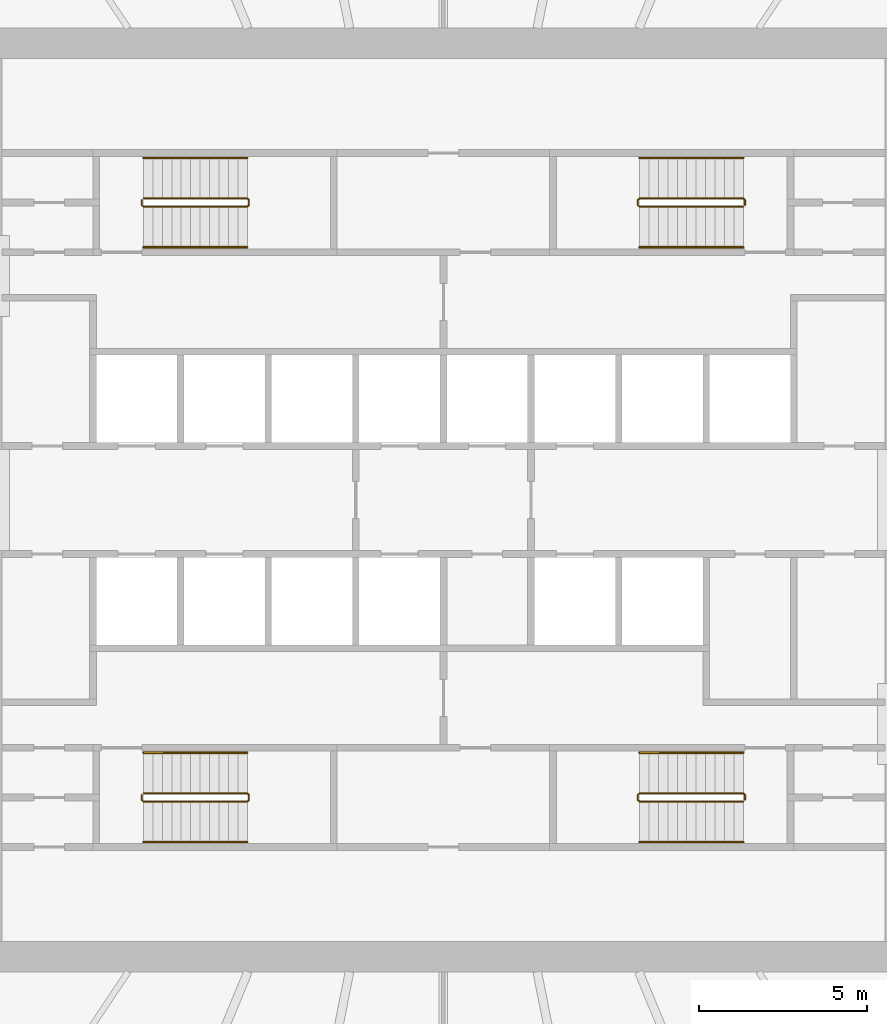
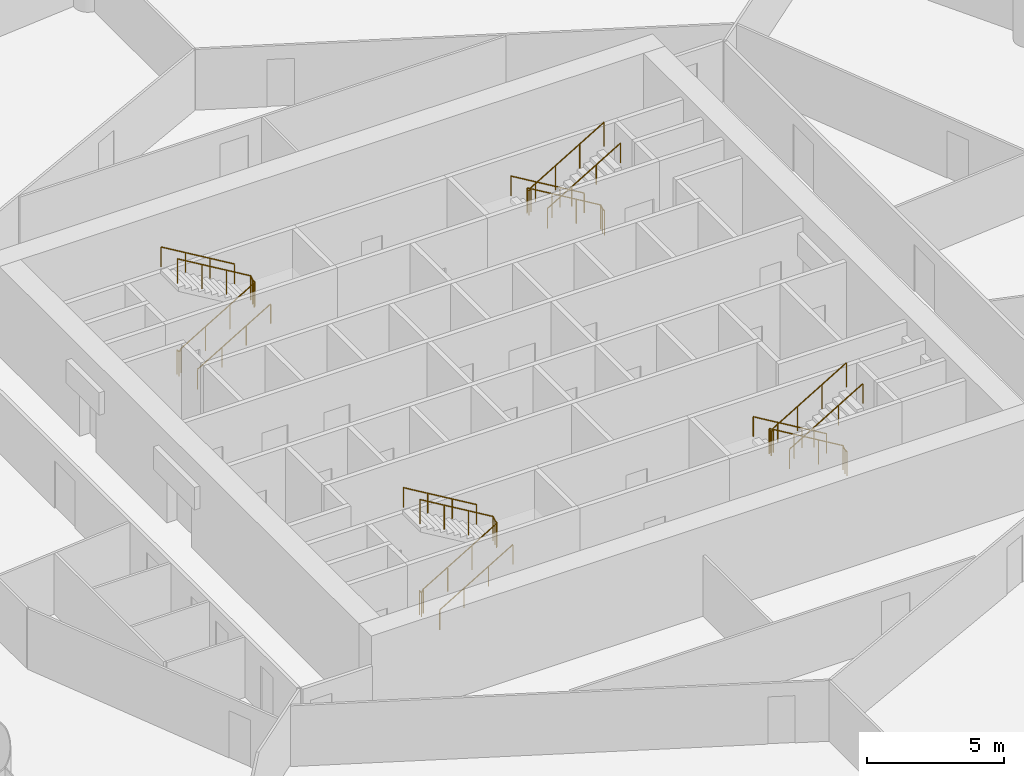
# One storey, part 9 of 9: 12 railings.
"""IFC4 building model written with IfcOpenShell, lengths in metres."""

from ifc_helpers import new_model, si_unit, direction, frame, origin, origin_2d, place, context, subcontext, project, spatial, circle, extrude, material, type_object, element, save


model = new_model("IFC4")

# Units and contexts
model_context = context("Model", 3, precision=1e-05, world=origin(), true_north=direction((0.0, 1.0)))
body_context = subcontext(model_context, "Body", "Model", "MODEL_VIEW")
ifc_project = project(units=[si_unit("LENGTHUNIT", "METRE"), si_unit("AREAUNIT", "SQUARE_METRE"), si_unit("VOLUMEUNIT", "CUBIC_METRE"), si_unit("PLANEANGLEUNIT", "RADIAN"), si_unit("MASSUNIT", "GRAM", prefix="KILO")], contexts=[model_context])

# Site, building, storey
site_placement = place(None, origin())
site = spatial("IfcSite", under=ifc_project, at=site_placement, CompositionType="ELEMENT")
building_placement = place(site_placement, origin())
building = spatial("IfcBuilding", under=site, at=building_placement, Name="Corvane Civic Tower", CompositionType="ELEMENT")
storey_placement = place(building_placement, frame((0.0, 0.0, 172.0)))
storey = spatial("IfcBuildingStorey", under=building, at=storey_placement, Name="L40", CompositionType="ELEMENT", Elevation=172.0)

# Railings
ifc_material_1 = material(Name="Steel ASTM A572 Gr 50", Category="steel")
railing_type_1 = type_object("IfcRailingType", Name="ST-GUARD-1100", PredefinedType="GUARDRAIL", material=ifc_material_1)
railing_1_placement = place(storey_placement, frame((8.949951171875, 8.75, 0.0)))
element("IfcRailing", 1, at=railing_1_placement, inside=storey, type_object=railing_type_1, Name="L40 ST1 stair guard 1", PredefinedType="GUARDRAIL", context=body_context, shape_type="SweptSolid", body=[
    extrude(circle(Radius=0.02392578125, at=origin_2d()), frame((0.0, 0.0, 1.076171875), z_axis=(0.0, 1.0, 0.0), x_axis=(-1.0, 0.0, 0.0)), (0.0, 0.0, 1.0), 0.14990234375),
    extrude(circle(Radius=0.02392578125, at=origin_2d()), frame((0.0, 0.14990234375, 1.076171875), z_axis=(-0.27628659633, 0.27628659633, 0.920506074601), x_axis=(-0.707106781187, -0.707106781187, 0.0)), (0.0, 0.0, 1.0), 0.18115234375),
    extrude(circle(Radius=0.02392578125, at=origin_2d()), frame((-0.050048828125, 0.199951171875, 1.24267578125), z_axis=(-0.859290745958, 0.0, 0.51148745235), x_axis=(0.0, -1.0, 0.0)), (0.0, 0.0, 1.0), 3.584228515625),
    extrude(circle(Radius=0.02392578125, at=origin_2d()), frame((-3.1298828125, 0.199951171875, 3.076171875), z_axis=(-0.707106781187, -0.707106781187, 0.0), x_axis=(0.707106781187, -0.707106781187, 0.0)), (0.0, 0.0, 1.0), 0.07080078125),
    extrude(circle(Radius=0.02392578125, at=origin_2d()), frame((-3.179931640625, 0.14990234375, 3.076171875), z_axis=(0.0, -1.0, 0.0), x_axis=(1.0, 0.0, 0.0)), (0.0, 0.0, 1.0), 0.14990234375),
    extrude(circle(Radius=0.02392578125, at=origin_2d()), frame((-3.179931640625, 0.0, 3.076171875), z_axis=(0.27628659633, -0.27628659633, 0.920506074601), x_axis=(0.707106781187, 0.707106781187, 0.0)), (0.0, 0.0, 1.0), 0.18115234375),
    extrude(circle(Radius=0.02392578125, at=origin_2d()), frame((-3.1298828125, -0.050048828125, 3.24267578125), z_axis=(0.859290745958, 0.0, 0.51148745235), x_axis=(0.0, 1.0, 0.0)), (0.0, 0.0, 1.0), 3.584228515625),
    extrude(circle(Radius=0.02099609375, at=origin_2d()), origin(), (0.0, 0.0, 1.0), 1.052001953125),
    extrude(circle(Radius=0.02099609375, at=origin_2d()), frame((0.0, 0.14990234375, 0.0)), (0.0, 0.0, 1.0), 1.052001953125),
    extrude(circle(Radius=0.02099609375, at=origin_2d()), frame((-0.050048828125, 0.199951171875, 0.166748046875)), (0.0, 0.0, 1.0), 1.052001953125),
    extrude(circle(Radius=0.02099609375, at=origin_2d()), frame((-1.07666015625, 0.199951171875, 0.77783203125)), (0.0, 0.0, 1.0), 1.052001953125),
    extrude(circle(Radius=0.02099609375, at=origin_2d()), frame((-2.103271484375, 0.199951171875, 1.388916015625)), (0.0, 0.0, 1.0), 1.052001953125),
    extrude(circle(Radius=0.02099609375, at=origin_2d()), frame((-3.1298828125, 0.199951171875, 2.0)), (0.0, 0.0, 1.0), 1.052001953125),
    extrude(circle(Radius=0.02099609375, at=origin_2d()), frame((-3.179931640625, 0.14990234375, 2.0)), (0.0, 0.0, 1.0), 1.052001953125),
    extrude(circle(Radius=0.02099609375, at=origin_2d()), frame((-3.179931640625, 0.0, 2.0)), (0.0, 0.0, 1.0), 1.052001953125),
    extrude(circle(Radius=0.02099609375, at=origin_2d()), frame((-3.1298828125, -0.050048828125, 2.166748046875)), (0.0, 0.0, 1.0), 1.052001953125),
    extrude(circle(Radius=0.02099609375, at=origin_2d()), frame((-2.103271484375, -0.050048828125, 2.77783203125)), (0.0, 0.0, 1.0), 1.052001953125),
    extrude(circle(Radius=0.02099609375, at=origin_2d()), frame((-1.07666015625, -0.050048828125, 3.388916015625)), (0.0, 0.0, 1.0), 1.052001953125),
    extrude(circle(Radius=0.02099609375, at=origin_2d()), frame((-0.050048828125, -0.050048828125, 4.0)), (0.0, 0.0, 1.0), 1.052001953125),
])
railing_2_placement = place(storey_placement, frame((8.949951171875, -8.89990234375, 0.0)))
element("IfcRailing", 2, at=railing_2_placement, inside=storey, type_object=railing_type_1, Name="L40 ST2 stair guard 1", PredefinedType="GUARDRAIL", context=body_context, shape_type="SweptSolid", body=[
    extrude(circle(Radius=0.02392578125, at=origin_2d()), frame((0.0, 0.0, 1.076171875), z_axis=(0.0, 1.0, 0.0), x_axis=(-1.0, 0.0, 0.0)), (0.0, 0.0, 1.0), 0.14990234375),
    extrude(circle(Radius=0.02392578125, at=origin_2d()), frame((0.0, 0.14990234375, 1.076171875), z_axis=(-0.27628659633, 0.27628659633, 0.920506074601), x_axis=(-0.707106781187, -0.707106781187, 0.0)), (0.0, 0.0, 1.0), 0.18115234375),
    extrude(circle(Radius=0.02392578125, at=origin_2d()), frame((-0.050048828125, 0.199951171875, 1.24267578125), z_axis=(-0.859290745958, 0.0, 0.51148745235), x_axis=(0.0, -1.0, 0.0)), (0.0, 0.0, 1.0), 3.584228515625),
    extrude(circle(Radius=0.02392578125, at=origin_2d()), frame((-3.1298828125, 0.199951171875, 3.076171875), z_axis=(-0.707106781187, -0.707106781187, 0.0), x_axis=(0.707106781187, -0.707106781187, 0.0)), (0.0, 0.0, 1.0), 0.07080078125),
    extrude(circle(Radius=0.02392578125, at=origin_2d()), frame((-3.179931640625, 0.14990234375, 3.076171875), z_axis=(0.0, -1.0, 0.0), x_axis=(1.0, 0.0, 0.0)), (0.0, 0.0, 1.0), 0.14990234375),
    extrude(circle(Radius=0.02392578125, at=origin_2d()), frame((-3.179931640625, 0.0, 3.076171875), z_axis=(0.27628659633, -0.27628659633, 0.920506074601), x_axis=(0.707106781187, 0.707106781187, 0.0)), (0.0, 0.0, 1.0), 0.18115234375),
    extrude(circle(Radius=0.02392578125, at=origin_2d()), frame((-3.1298828125, -0.050048828125, 3.24267578125), z_axis=(0.859290745958, 0.0, 0.51148745235), x_axis=(0.0, 1.0, 0.0)), (0.0, 0.0, 1.0), 3.584228515625),
    extrude(circle(Radius=0.02099609375, at=origin_2d()), origin(), (0.0, 0.0, 1.0), 1.052001953125),
    extrude(circle(Radius=0.02099609375, at=origin_2d()), frame((0.0, 0.14990234375, 0.0)), (0.0, 0.0, 1.0), 1.052001953125),
    extrude(circle(Radius=0.02099609375, at=origin_2d()), frame((-0.050048828125, 0.199951171875, 0.166748046875)), (0.0, 0.0, 1.0), 1.052001953125),
    extrude(circle(Radius=0.02099609375, at=origin_2d()), frame((-1.07666015625, 0.199951171875, 0.77783203125)), (0.0, 0.0, 1.0), 1.052001953125),
    extrude(circle(Radius=0.02099609375, at=origin_2d()), frame((-2.103271484375, 0.199951171875, 1.388916015625)), (0.0, 0.0, 1.0), 1.052001953125),
    extrude(circle(Radius=0.02099609375, at=origin_2d()), frame((-3.1298828125, 0.199951171875, 2.0)), (0.0, 0.0, 1.0), 1.052001953125),
    extrude(circle(Radius=0.02099609375, at=origin_2d()), frame((-3.179931640625, 0.14990234375, 2.0)), (0.0, 0.0, 1.0), 1.052001953125),
    extrude(circle(Radius=0.02099609375, at=origin_2d()), frame((-3.179931640625, 0.0, 2.0)), (0.0, 0.0, 1.0), 1.052001953125),
    extrude(circle(Radius=0.02099609375, at=origin_2d()), frame((-3.1298828125, -0.050048828125, 2.166748046875)), (0.0, 0.0, 1.0), 1.052001953125),
    extrude(circle(Radius=0.02099609375, at=origin_2d()), frame((-2.103271484375, -0.050048828125, 2.77783203125)), (0.0, 0.0, 1.0), 1.052001953125),
    extrude(circle(Radius=0.02099609375, at=origin_2d()), frame((-1.07666015625, -0.050048828125, 3.388916015625)), (0.0, 0.0, 1.0), 1.052001953125),
    extrude(circle(Radius=0.02099609375, at=origin_2d()), frame((-0.050048828125, -0.050048828125, 4.0)), (0.0, 0.0, 1.0), 1.052001953125),
])
railing_3_placement = place(storey_placement, frame((-8.949951171875, -8.75, 0.0)))
element("IfcRailing", 3, at=railing_3_placement, inside=storey, type_object=railing_type_1, Name="L40 ST3 stair guard 1", PredefinedType="GUARDRAIL", context=body_context, shape_type="SweptSolid", body=[
    extrude(circle(Radius=0.02392578125, at=origin_2d()), frame((0.0, 0.0, 1.076171875), z_axis=(0.0, -1.0, 0.0), x_axis=(1.0, 0.0, 0.0)), (0.0, 0.0, 1.0), 0.14990234375),
    extrude(circle(Radius=0.02392578125, at=origin_2d()), frame((0.0, -0.14990234375, 1.076171875), z_axis=(0.27628659633, -0.27628659633, 0.920506074601), x_axis=(0.707106781187, 0.707106781187, 0.0)), (0.0, 0.0, 1.0), 0.18115234375),
    extrude(circle(Radius=0.02392578125, at=origin_2d()), frame((0.050048828125, -0.199951171875, 1.24267578125), z_axis=(0.859290745958, 0.0, 0.51148745235), x_axis=(0.0, 1.0, 0.0)), (0.0, 0.0, 1.0), 3.584228515625),
    extrude(circle(Radius=0.02392578125, at=origin_2d()), frame((3.1298828125, -0.199951171875, 3.076171875), z_axis=(0.707106781187, 0.707106781187, 0.0), x_axis=(-0.707106781187, 0.707106781187, 0.0)), (0.0, 0.0, 1.0), 0.07080078125),
    extrude(circle(Radius=0.02392578125, at=origin_2d()), frame((3.179931640625, -0.14990234375, 3.076171875), z_axis=(0.0, 1.0, 0.0), x_axis=(-1.0, 0.0, 0.0)), (0.0, 0.0, 1.0), 0.14990234375),
    extrude(circle(Radius=0.02392578125, at=origin_2d()), frame((3.179931640625, 0.0, 3.076171875), z_axis=(-0.27628659633, 0.27628659633, 0.920506074601), x_axis=(-0.707106781187, -0.707106781187, 0.0)), (0.0, 0.0, 1.0), 0.18115234375),
    extrude(circle(Radius=0.02392578125, at=origin_2d()), frame((3.1298828125, 0.050048828125, 3.24267578125), z_axis=(-0.859290745958, 0.0, 0.51148745235), x_axis=(0.0, -1.0, 0.0)), (0.0, 0.0, 1.0), 3.584228515625),
    extrude(circle(Radius=0.02099609375, at=origin_2d()), origin(), (0.0, 0.0, 1.0), 1.052001953125),
    extrude(circle(Radius=0.02099609375, at=origin_2d()), frame((0.0, -0.14990234375, 0.0)), (0.0, 0.0, 1.0), 1.052001953125),
    extrude(circle(Radius=0.02099609375, at=origin_2d()), frame((0.050048828125, -0.199951171875, 0.166748046875)), (0.0, 0.0, 1.0), 1.052001953125),
    extrude(circle(Radius=0.02099609375, at=origin_2d()), frame((1.07666015625, -0.199951171875, 0.77783203125)), (0.0, 0.0, 1.0), 1.052001953125),
    extrude(circle(Radius=0.02099609375, at=origin_2d()), frame((2.103271484375, -0.199951171875, 1.388916015625)), (0.0, 0.0, 1.0), 1.052001953125),
    extrude(circle(Radius=0.02099609375, at=origin_2d()), frame((3.1298828125, -0.199951171875, 2.0)), (0.0, 0.0, 1.0), 1.052001953125),
    extrude(circle(Radius=0.02099609375, at=origin_2d()), frame((3.179931640625, -0.14990234375, 2.0)), (0.0, 0.0, 1.0), 1.052001953125),
    extrude(circle(Radius=0.02099609375, at=origin_2d()), frame((3.179931640625, 0.0, 2.0)), (0.0, 0.0, 1.0), 1.052001953125),
    extrude(circle(Radius=0.02099609375, at=origin_2d()), frame((3.1298828125, 0.050048828125, 2.166748046875)), (0.0, 0.0, 1.0), 1.052001953125),
    extrude(circle(Radius=0.02099609375, at=origin_2d()), frame((2.103271484375, 0.050048828125, 2.77783203125)), (0.0, 0.0, 1.0), 1.052001953125),
    extrude(circle(Radius=0.02099609375, at=origin_2d()), frame((1.07666015625, 0.050048828125, 3.388916015625)), (0.0, 0.0, 1.0), 1.052001953125),
    extrude(circle(Radius=0.02099609375, at=origin_2d()), frame((0.050048828125, 0.050048828125, 4.0)), (0.0, 0.0, 1.0), 1.052001953125),
])
railing_4_placement = place(storey_placement, frame((-8.949951171875, 8.89990234375, 0.0)))
element("IfcRailing", 4, at=railing_4_placement, inside=storey, type_object=railing_type_1, Name="L40 ST4 stair guard 1", PredefinedType="GUARDRAIL", context=body_context, shape_type="SweptSolid", body=[
    extrude(circle(Radius=0.02392578125, at=origin_2d()), frame((0.0, 0.0, 1.076171875), z_axis=(0.0, -1.0, 0.0), x_axis=(1.0, 0.0, 0.0)), (0.0, 0.0, 1.0), 0.14990234375),
    extrude(circle(Radius=0.02392578125, at=origin_2d()), frame((0.0, -0.14990234375, 1.076171875), z_axis=(0.27628659633, -0.27628659633, 0.920506074601), x_axis=(0.707106781187, 0.707106781187, 0.0)), (0.0, 0.0, 1.0), 0.18115234375),
    extrude(circle(Radius=0.02392578125, at=origin_2d()), frame((0.050048828125, -0.199951171875, 1.24267578125), z_axis=(0.859290745958, 0.0, 0.51148745235), x_axis=(0.0, 1.0, 0.0)), (0.0, 0.0, 1.0), 3.584228515625),
    extrude(circle(Radius=0.02392578125, at=origin_2d()), frame((3.1298828125, -0.199951171875, 3.076171875), z_axis=(0.707106781187, 0.707106781187, 0.0), x_axis=(-0.707106781187, 0.707106781187, 0.0)), (0.0, 0.0, 1.0), 0.07080078125),
    extrude(circle(Radius=0.02392578125, at=origin_2d()), frame((3.179931640625, -0.14990234375, 3.076171875), z_axis=(0.0, 1.0, 0.0), x_axis=(-1.0, 0.0, 0.0)), (0.0, 0.0, 1.0), 0.14990234375),
    extrude(circle(Radius=0.02392578125, at=origin_2d()), frame((3.179931640625, 0.0, 3.076171875), z_axis=(-0.27628659633, 0.27628659633, 0.920506074601), x_axis=(-0.707106781187, -0.707106781187, 0.0)), (0.0, 0.0, 1.0), 0.18115234375),
    extrude(circle(Radius=0.02392578125, at=origin_2d()), frame((3.1298828125, 0.050048828125, 3.24267578125), z_axis=(-0.859290745958, 0.0, 0.51148745235), x_axis=(0.0, -1.0, 0.0)), (0.0, 0.0, 1.0), 3.584228515625),
    extrude(circle(Radius=0.02099609375, at=origin_2d()), origin(), (0.0, 0.0, 1.0), 1.052001953125),
    extrude(circle(Radius=0.02099609375, at=origin_2d()), frame((0.0, -0.14990234375, 0.0)), (0.0, 0.0, 1.0), 1.052001953125),
    extrude(circle(Radius=0.02099609375, at=origin_2d()), frame((0.050048828125, -0.199951171875, 0.166748046875)), (0.0, 0.0, 1.0), 1.052001953125),
    extrude(circle(Radius=0.02099609375, at=origin_2d()), frame((1.07666015625, -0.199951171875, 0.77783203125)), (0.0, 0.0, 1.0), 1.052001953125),
    extrude(circle(Radius=0.02099609375, at=origin_2d()), frame((2.103271484375, -0.199951171875, 1.388916015625)), (0.0, 0.0, 1.0), 1.052001953125),
    extrude(circle(Radius=0.02099609375, at=origin_2d()), frame((3.1298828125, -0.199951171875, 2.0)), (0.0, 0.0, 1.0), 1.052001953125),
    extrude(circle(Radius=0.02099609375, at=origin_2d()), frame((3.179931640625, -0.14990234375, 2.0)), (0.0, 0.0, 1.0), 1.052001953125),
    extrude(circle(Radius=0.02099609375, at=origin_2d()), frame((3.179931640625, 0.0, 2.0)), (0.0, 0.0, 1.0), 1.052001953125),
    extrude(circle(Radius=0.02099609375, at=origin_2d()), frame((3.1298828125, 0.050048828125, 2.166748046875)), (0.0, 0.0, 1.0), 1.052001953125),
    extrude(circle(Radius=0.02099609375, at=origin_2d()), frame((2.103271484375, 0.050048828125, 2.77783203125)), (0.0, 0.0, 1.0), 1.052001953125),
    extrude(circle(Radius=0.02099609375, at=origin_2d()), frame((1.07666015625, 0.050048828125, 3.388916015625)), (0.0, 0.0, 1.0), 1.052001953125),
    extrude(circle(Radius=0.02099609375, at=origin_2d()), frame((0.050048828125, 0.050048828125, 4.0)), (0.0, 0.0, 1.0), 1.052001953125),
])
ifc_material_2 = material(Name="Steel ASTM A572 Gr 50", Category="steel")
railing_type_2 = type_object("IfcRailingType", Name="ST-HANDRAIL-900", PredefinedType="HANDRAIL", material=ifc_material_2)
railing_5_placement = place(storey_placement, frame((8.89990234375, 10.14990234375, 0.166748046875)))
element("IfcRailing", 5, at=railing_5_placement, inside=storey, type_object=railing_type_2, Name="L40 ST1 stair handrail 1", PredefinedType="HANDRAIL", context=body_context, shape_type="SweptSolid", body=[
    extrude(circle(Radius=0.02392578125, at=origin_2d()), frame((0.0, 0.0, 0.8759765625), z_axis=(-0.859290745958, 0.0, 0.51148745235), x_axis=(0.0, -1.0, 0.0)), (0.0, 0.0, 1.0), 3.584228515625),
    extrude(circle(Radius=0.02099609375, at=origin_2d()), origin(), (0.0, 0.0, 1.0), 0.851806640625),
    extrude(circle(Radius=0.02099609375, at=origin_2d()), frame((-1.026611328125, 0.0, 0.611083984375)), (0.0, 0.0, 1.0), 0.851806640625),
    extrude(circle(Radius=0.02099609375, at=origin_2d()), frame((-2.05322265625, 0.0, 1.22216796875)), (0.0, 0.0, 1.0), 0.851806640625),
    extrude(circle(Radius=0.02099609375, at=origin_2d()), frame((-3.079833984375, 0.0, 1.833251953125)), (0.0, 0.0, 1.0), 0.851806640625),
])
railing_6_placement = place(storey_placement, frame((5.820068359375, 7.5, 2.166748046875)))
element("IfcRailing", 6, at=railing_6_placement, inside=storey, type_object=railing_type_2, Name="L40 ST1 stair handrail 2", PredefinedType="HANDRAIL", context=body_context, shape_type="SweptSolid", body=[
    extrude(circle(Radius=0.02392578125, at=origin_2d()), frame((0.0, 0.0, 0.8759765625), z_axis=(0.859290745958, 0.0, 0.51148745235), x_axis=(0.0, 1.0, 0.0)), (0.0, 0.0, 1.0), 3.584228515625),
    extrude(circle(Radius=0.02099609375, at=origin_2d()), origin(), (0.0, 0.0, 1.0), 0.851806640625),
    extrude(circle(Radius=0.02099609375, at=origin_2d()), frame((1.026611328125, 0.0, 0.611083984375)), (0.0, 0.0, 1.0), 0.851806640625),
    extrude(circle(Radius=0.02099609375, at=origin_2d()), frame((2.05322265625, 0.0, 1.22216796875)), (0.0, 0.0, 1.0), 0.851806640625),
    extrude(circle(Radius=0.02099609375, at=origin_2d()), frame((3.079833984375, 0.0, 1.833251953125)), (0.0, 0.0, 1.0), 0.851806640625),
])
railing_7_placement = place(storey_placement, frame((8.89990234375, -7.5, 0.166748046875)))
element("IfcRailing", 7, at=railing_7_placement, inside=storey, type_object=railing_type_2, Name="L40 ST2 stair handrail 1", PredefinedType="HANDRAIL", context=body_context, shape_type="SweptSolid", body=[
    extrude(circle(Radius=0.02392578125, at=origin_2d()), frame((0.0, 0.0, 0.8759765625), z_axis=(-0.859290745958, 0.0, 0.51148745235), x_axis=(0.0, -1.0, 0.0)), (0.0, 0.0, 1.0), 3.584228515625),
    extrude(circle(Radius=0.02099609375, at=origin_2d()), origin(), (0.0, 0.0, 1.0), 0.851806640625),
    extrude(circle(Radius=0.02099609375, at=origin_2d()), frame((-1.026611328125, 0.0, 0.611083984375)), (0.0, 0.0, 1.0), 0.851806640625),
    extrude(circle(Radius=0.02099609375, at=origin_2d()), frame((-2.05322265625, 0.0, 1.22216796875)), (0.0, 0.0, 1.0), 0.851806640625),
    extrude(circle(Radius=0.02099609375, at=origin_2d()), frame((-3.079833984375, 0.0, 1.833251953125)), (0.0, 0.0, 1.0), 0.851806640625),
])
for number, where, name in (
    (8, (5.820068359375, -10.14990234375, 2.166748046875), "L40 ST2 stair handrail 2"),
    (9, (-8.89990234375, -10.14990234375, 0.166748046875), "L40 ST3 stair handrail 1"),
):
    element("IfcRailing", number, at=place(storey_placement, frame(where)), inside=storey, type_object=railing_type_2, Name=name, PredefinedType="HANDRAIL", context=body_context, shape_type="SweptSolid", body=[
        extrude(circle(Radius=0.02392578125, at=origin_2d()), frame((0.0, 0.0, 0.8759765625), z_axis=(0.859290745958, 0.0, 0.51148745235), x_axis=(0.0, 1.0, 0.0)), (0.0, 0.0, 1.0), 3.584228515625),
        extrude(circle(Radius=0.02099609375, at=origin_2d()), origin(), (0.0, 0.0, 1.0), 0.851806640625),
        extrude(circle(Radius=0.02099609375, at=origin_2d()), frame((1.026611328125, 0.0, 0.611083984375)), (0.0, 0.0, 1.0), 0.851806640625),
        extrude(circle(Radius=0.02099609375, at=origin_2d()), frame((2.05322265625, 0.0, 1.22216796875)), (0.0, 0.0, 1.0), 0.851806640625),
        extrude(circle(Radius=0.02099609375, at=origin_2d()), frame((3.079833984375, 0.0, 1.833251953125)), (0.0, 0.0, 1.0), 0.851806640625),
    ])
railing_8_placement = place(storey_placement, frame((-5.820068359375, -7.5, 2.166748046875)))
element("IfcRailing", 10, at=railing_8_placement, inside=storey, type_object=railing_type_2, Name="L40 ST3 stair handrail 2", PredefinedType="HANDRAIL", context=body_context, shape_type="SweptSolid", body=[
    extrude(circle(Radius=0.02392578125, at=origin_2d()), frame((0.0, 0.0, 0.8759765625), z_axis=(-0.859290745958, 0.0, 0.51148745235), x_axis=(0.0, -1.0, 0.0)), (0.0, 0.0, 1.0), 3.584228515625),
    extrude(circle(Radius=0.02099609375, at=origin_2d()), origin(), (0.0, 0.0, 1.0), 0.851806640625),
    extrude(circle(Radius=0.02099609375, at=origin_2d()), frame((-1.026611328125, 0.0, 0.611083984375)), (0.0, 0.0, 1.0), 0.851806640625),
    extrude(circle(Radius=0.02099609375, at=origin_2d()), frame((-2.05322265625, 0.0, 1.22216796875)), (0.0, 0.0, 1.0), 0.851806640625),
    extrude(circle(Radius=0.02099609375, at=origin_2d()), frame((-3.079833984375, 0.0, 1.833251953125)), (0.0, 0.0, 1.0), 0.851806640625),
])
railing_9_placement = place(storey_placement, frame((-8.89990234375, 7.5, 0.166748046875)))
element("IfcRailing", 11, at=railing_9_placement, inside=storey, type_object=railing_type_2, Name="L40 ST4 stair handrail 1", PredefinedType="HANDRAIL", context=body_context, shape_type="SweptSolid", body=[
    extrude(circle(Radius=0.02392578125, at=origin_2d()), frame((0.0, 0.0, 0.8759765625), z_axis=(0.859290745958, 0.0, 0.51148745235), x_axis=(0.0, 1.0, 0.0)), (0.0, 0.0, 1.0), 3.584228515625),
    extrude(circle(Radius=0.02099609375, at=origin_2d()), origin(), (0.0, 0.0, 1.0), 0.851806640625),
    extrude(circle(Radius=0.02099609375, at=origin_2d()), frame((1.026611328125, 0.0, 0.611083984375)), (0.0, 0.0, 1.0), 0.851806640625),
    extrude(circle(Radius=0.02099609375, at=origin_2d()), frame((2.05322265625, 0.0, 1.22216796875)), (0.0, 0.0, 1.0), 0.851806640625),
    extrude(circle(Radius=0.02099609375, at=origin_2d()), frame((3.079833984375, 0.0, 1.833251953125)), (0.0, 0.0, 1.0), 0.851806640625),
])
railing_10_placement = place(storey_placement, frame((-5.820068359375, 10.14990234375, 2.166748046875)))
element("IfcRailing", 12, at=railing_10_placement, inside=storey, type_object=railing_type_2, Name="L40 ST4 stair handrail 2", PredefinedType="HANDRAIL", context=body_context, shape_type="SweptSolid", body=[
    extrude(circle(Radius=0.02392578125, at=origin_2d()), frame((0.0, 0.0, 0.8759765625), z_axis=(-0.859290745958, 0.0, 0.51148745235), x_axis=(0.0, -1.0, 0.0)), (0.0, 0.0, 1.0), 3.584228515625),
    extrude(circle(Radius=0.02099609375, at=origin_2d()), origin(), (0.0, 0.0, 1.0), 0.851806640625),
    extrude(circle(Radius=0.02099609375, at=origin_2d()), frame((-1.026611328125, 0.0, 0.611083984375)), (0.0, 0.0, 1.0), 0.851806640625),
    extrude(circle(Radius=0.02099609375, at=origin_2d()), frame((-2.05322265625, 0.0, 1.22216796875)), (0.0, 0.0, 1.0), 0.851806640625),
    extrude(circle(Radius=0.02099609375, at=origin_2d()), frame((-3.079833984375, 0.0, 1.833251953125)), (0.0, 0.0, 1.0), 0.851806640625),
])

save(model, "model.ifc")
